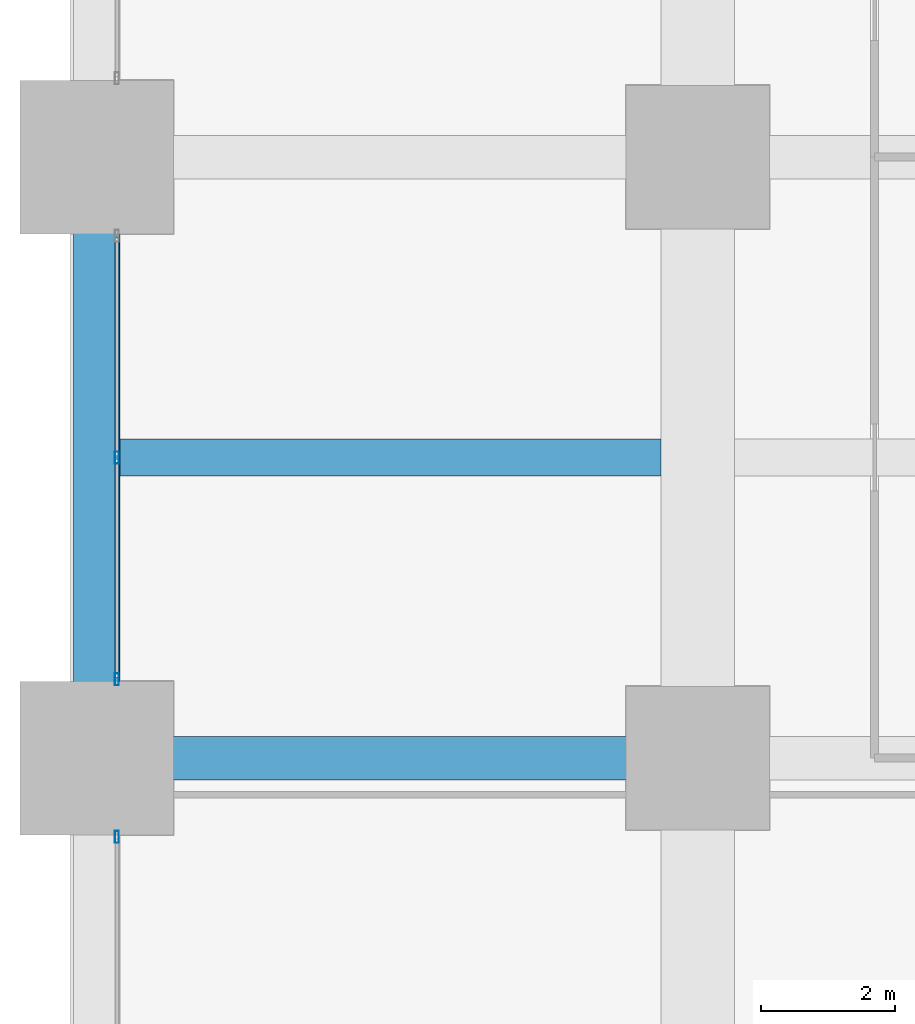
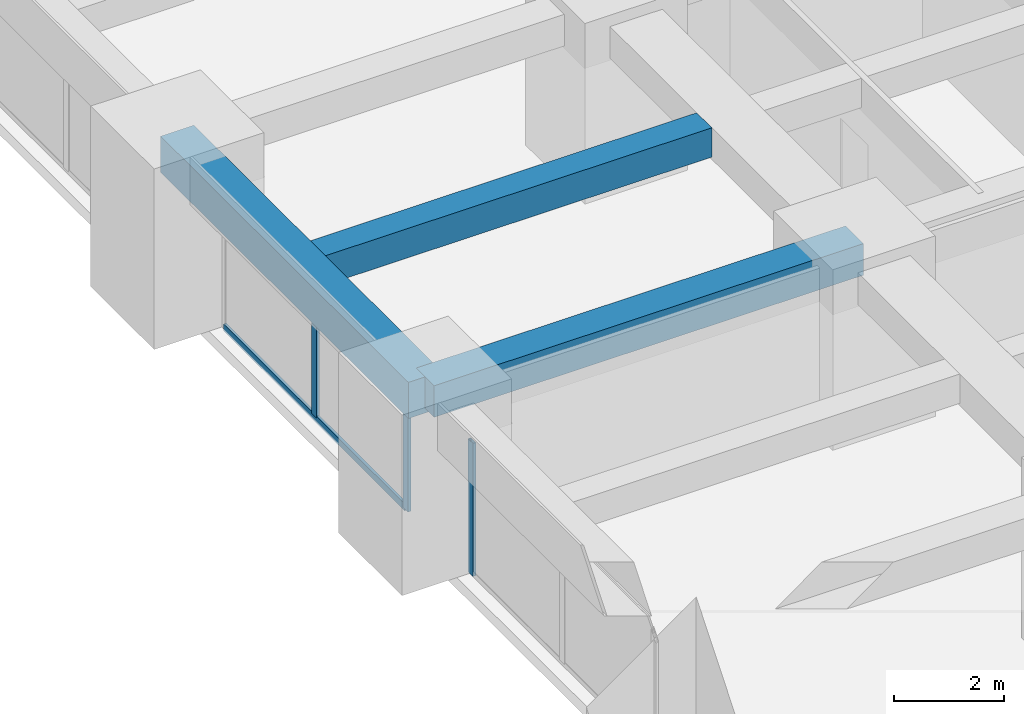
# One storey, part 9 of 44: 4 members, 3 beams, 2 elements without a shape of their own.
"""IFC4 building model written with IfcOpenShell, lengths in metres."""

from ifc_helpers import new_model, si_unit, direction, frame, origin, origin_2d, place, context, subcontext, project, spatial, rectangle, hollow_rectangle, extrude, material, material_profile, profile_set, type_object, element, aggregate, save


model = new_model("IFC4")

# Units and contexts
model_context = context("Model", 3, precision=1e-05, world=origin(), true_north=direction((0.0, 1.0)))
body_context = subcontext(model_context, "Body", "Model", "MODEL_VIEW")
ifc_project = project(units=[si_unit("LENGTHUNIT", "METRE"), si_unit("AREAUNIT", "SQUARE_METRE"), si_unit("VOLUMEUNIT", "CUBIC_METRE"), si_unit("PLANEANGLEUNIT", "RADIAN"), si_unit("MASSUNIT", "GRAM", prefix="KILO")], contexts=[model_context])

# Site, building, storey
site_placement = place(None, origin())
site = spatial("IfcSite", under=ifc_project, at=site_placement, CompositionType="ELEMENT")
building_placement = place(site_placement, origin())
building = spatial("IfcBuilding", under=site, at=building_placement, Name="Zorevar Civic Tower", CompositionType="ELEMENT")
storey_placement = place(building_placement, frame((0.0, 0.0, 51.800048828125)))
storey = spatial("IfcBuildingStorey", under=building, at=storey_placement, Name="L12", CompositionType="ELEMENT", Elevation=51.800048828125)

# Beams
ifc_material_1 = material(Name="Concrete C50/60", Category="concrete")
ifc_material_profile_1 = material_profile(ifc_material_1, rectangle(XDim=0.550048828125, YDim=0.64990234375, at=origin_2d()), Name="RC 550x650")
ifc_profile_set_1 = profile_set([ifc_material_profile_1], Name="Concrete C50/60")
beam_type_1 = type_object("IfcBeamType", Name="Beam RC 550x650", PredefinedType="BEAM", material=ifc_profile_set_1)
beam_1_placement = place(storey_placement, frame((0.35009765625, 22.5, 3.425048828125), z_axis=(1.0, 0.0, 0.0), x_axis=(0.0, 1.0, 0.0)))
element("IfcBeam", 1, at=beam_1_placement, inside=storey, type_object=beam_type_1, Name="Secondary beam L13", PredefinedType="BEAM", context=body_context, shape_type="SweptSolid", body=[
    extrude(rectangle(XDim=0.550048828125, YDim=0.64990234375, at=origin_2d()), origin(), (0.0, 0.0, 1.0), 8.099853515625),
])
ifc_material_2 = material(Name="Concrete C50/60", Category="concrete")
ifc_material_profile_2 = material_profile(ifc_material_2, rectangle(XDim=0.64990234375, YDim=0.699951171875, at=origin_2d()), Name="RC 650x700")
ifc_profile_set_2 = profile_set([ifc_material_profile_2], Name="Concrete C50/60")
beam_type_2 = type_object("IfcBeamType", Name="Beam RC 650x700", PredefinedType="BEAM", material=ifc_profile_set_2)
beam_2_placement = place(storey_placement, frame((0.0, 18.0, 3.39990234375), z_axis=(1.0, 0.0, 0.0), x_axis=(0.0, 1.0, 0.0)))
element("IfcBeam", 2, at=beam_2_placement, inside=storey, type_object=beam_type_2, Name="Girder L13", PredefinedType="BEAM", context=body_context, shape_type="SweptSolid", body=[
    extrude(rectangle(XDim=0.64990234375, YDim=0.699951171875, at=origin_2d()), origin(), (0.0, 0.0, 1.0), 9.0),
])

# Curtain wall, member
ifc_material_3 = material(Name="Dark grey solar-control glass in black aluminium frame", Category="aluminium")
curtain_wall_type = type_object("IfcCurtainWallType", Name="Curtain wall CW2 low zone", PredefinedType="NOTDEFINED", material=ifc_material_3)
curtain_wall_1_placement = place(storey_placement, origin())
curtain_wall_1 = element("IfcCurtainWall", 3, at=curtain_wall_1_placement, inside=storey, type_object=curtain_wall_type, Name="CW2 L12", PredefinedType="NOTDEFINED")
ifc_material_4 = material(Name="Aluminium, black anodised", Category="aluminium")
ifc_material_profile_3 = material_profile(ifc_material_4, hollow_rectangle(XDim=0.06005859375, YDim=0.179931640625, WallThickness=0.00390625, at=origin_2d()), Name="AL 180x60x4")
ifc_profile_set_3 = profile_set([ifc_material_profile_3], Name="Aluminium, black anodised")
member_type_1 = type_object("IfcMemberType", Name="CW2 mullion AL 180x60x4", PredefinedType="MULLION", material=ifc_profile_set_3)
member_1_placement = place(storey_placement, frame((0.300048828125, 16.820068359375, 0.0), z_axis=(0.0, 0.0, 1.0), x_axis=(-1.0, 0.0, 0.0)))
member_1 = element("IfcMember", 4, at=member_1_placement, type_object=member_type_1, Name="CW2 mullion 3", PredefinedType="MULLION", context=body_context, shape_type="SweptSolid", body=[
    extrude(hollow_rectangle(XDim=0.06005859375, YDim=0.179931640625, WallThickness=0.00390625, at=origin_2d()), origin(), (0.0, 0.0, 1.0), 2.949951171875),
])
aggregate(curtain_wall_1, [member_1])

# Curtain wall, members
curtain_wall_2_placement = place(storey_placement, origin())
curtain_wall_2 = element("IfcCurtainWall", 5, at=curtain_wall_2_placement, inside=storey, type_object=curtain_wall_type, Name="CW2 L12", PredefinedType="NOTDEFINED")
member_2_placement = place(storey_placement, frame((0.300048828125, 19.179931640625, 0.0), z_axis=(0.0, 0.0, 1.0), x_axis=(-1.0, 0.0, 0.0)))
member_2 = element("IfcMember", 6, at=member_2_placement, type_object=member_type_1, Name="CW2 mullion 1", PredefinedType="MULLION", context=body_context, shape_type="SweptSolid", body=[
    extrude(hollow_rectangle(XDim=0.06005859375, YDim=0.179931640625, WallThickness=0.00390625, at=origin_2d()), origin(), (0.0, 0.0, 1.0), 2.949951171875),
])
member_3_placement = place(storey_placement, frame((0.300048828125, 22.5, 0.06005859375), z_axis=(0.0, 0.0, 1.0), x_axis=(-1.0, 0.0, 0.0)))
member_3 = element("IfcMember", 7, at=member_3_placement, type_object=member_type_1, Name="CW2 mullion 2", PredefinedType="MULLION", context=body_context, shape_type="SweptSolid", body=[
    extrude(hollow_rectangle(XDim=0.06005859375, YDim=0.179931640625, WallThickness=0.00390625, at=origin_2d()), origin(), (0.0, 0.0, 1.0), 2.889892578125),
])
ifc_material_5 = material(Name="Aluminium, black anodised", Category="aluminium")
ifc_material_profile_4 = material_profile(ifc_material_5, hollow_rectangle(XDim=0.06005859375, YDim=0.14990234375, WallThickness=0.00390625, at=origin_2d()), Name="AL 150x60x4")
ifc_profile_set_4 = profile_set([ifc_material_profile_4], Name="Aluminium, black anodised")
member_type_2 = type_object("IfcMemberType", Name="CW2 transom AL 150x60x4", PredefinedType="USERDEFINED", material=ifc_profile_set_4)
member_4_placement = place(storey_placement, frame((0.300048828125, 19.2099609375, 0.030029296875), z_axis=(0.0, 1.0, 0.0), x_axis=(-1.0, 0.0, 0.0)))
member_4 = element("IfcMember", 8, at=member_4_placement, type_object=member_type_2, Name="CW2 sill transom", ObjectType="TRANSOM", PredefinedType="USERDEFINED", context=body_context, shape_type="SweptSolid", body=[
    extrude(hollow_rectangle(XDim=0.06005859375, YDim=0.14990234375, WallThickness=0.00390625, at=origin_2d()), origin(), (0.0, 0.0, 1.0), 6.580078125),
])
aggregate(curtain_wall_2, [member_2, member_3, member_4])

# Beam
ifc_material_6 = material(Name="Concrete C50/60", Category="concrete")
ifc_material_profile_5 = material_profile(ifc_material_6, rectangle(XDim=0.699951171875, YDim=0.800048828125, at=origin_2d()), Name="RC 700x800")
ifc_profile_set_5 = profile_set([ifc_material_profile_5], Name="Concrete C50/60")
beam_type_3 = type_object("IfcBeamType", Name="Edge beam RC 700x800", PredefinedType="SPANDREL", material=ifc_profile_set_5)
beam_3_placement = place(storey_placement, frame((0.0, 18.0, 3.349853515625), z_axis=(0.0, 1.0, 0.0), x_axis=(-1.0, 0.0, 0.0)))
element("IfcBeam", 9, at=beam_3_placement, inside=storey, type_object=beam_type_3, Name="Edge beam L13", PredefinedType="SPANDREL", context=body_context, shape_type="SweptSolid", body=[
    extrude(rectangle(XDim=0.699951171875, YDim=0.800048828125, at=origin_2d()), origin(), (0.0, 0.0, 1.0), 9.0),
])

save(model, "model.ifc")
